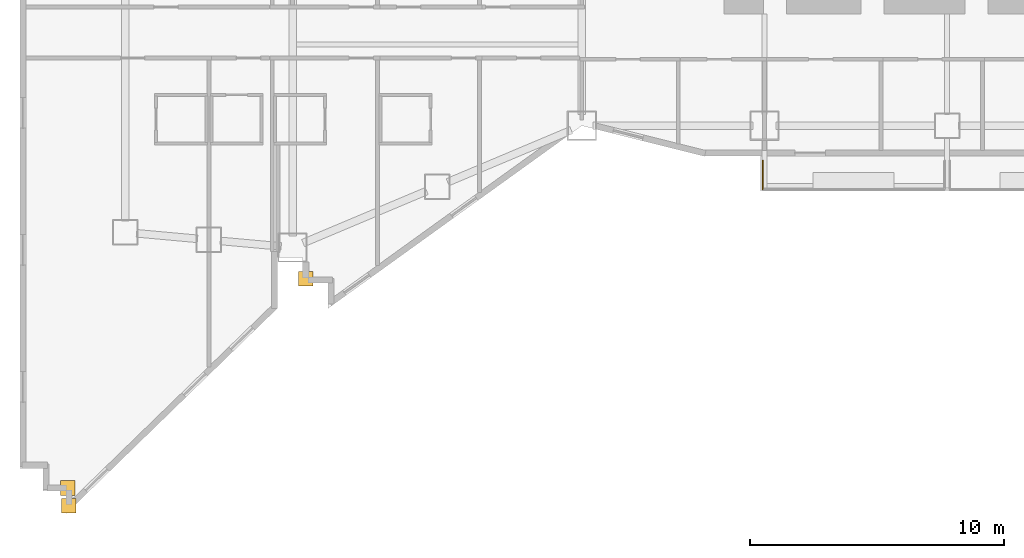
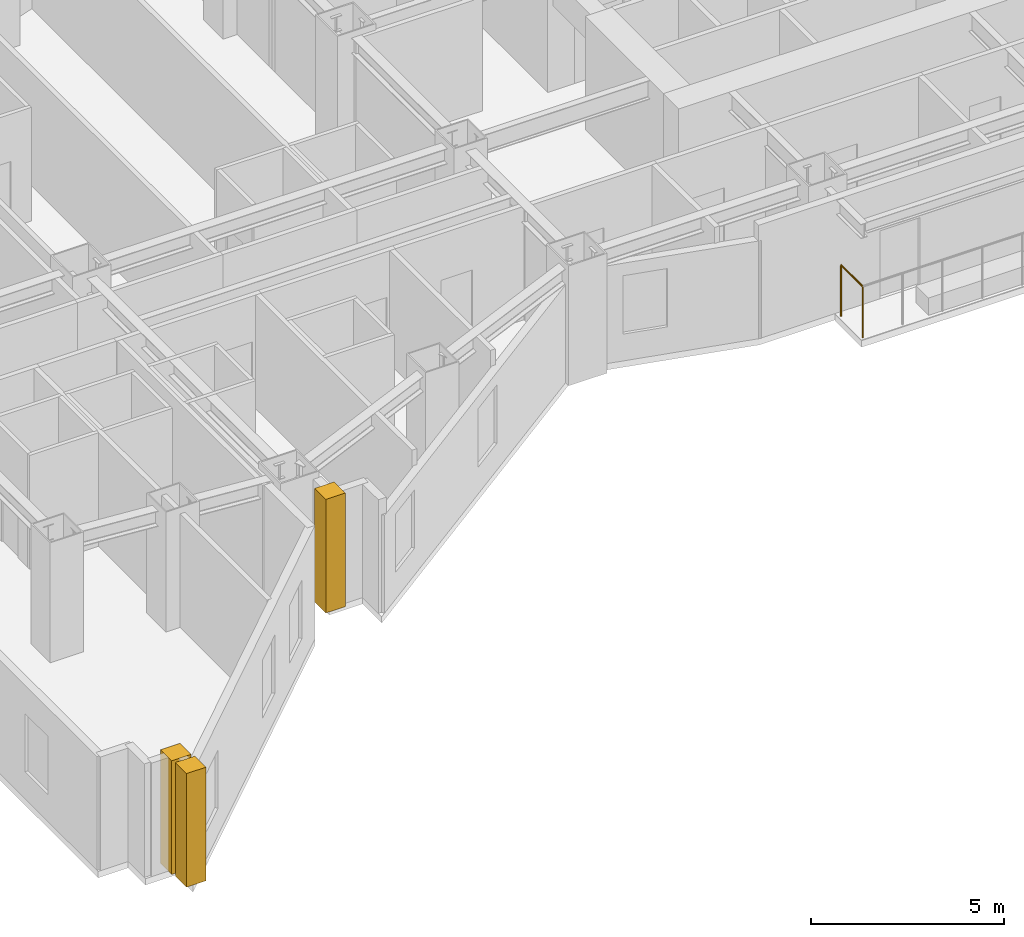
# One storey, part 14 of 18: 3 coverings, 1 railing.
"""IFC4 building model written with IfcOpenShell, lengths in metres."""

import ifcopenshell
import ifcopenshell.guid

model = None  # the IFC model being written
_history = None  # IfcOwnerHistory: only IFC2X3 demands one
_inside = {}  # id of a spatial element -> (the spatial element, [elements in it])
_under = {}  # id of a project, library or spatial element -> (it, [spatial elements below it])
_declared = {}  # id of a project -> (the project, [libraries it declares])
_typed = {}  # id of a type object -> (the type object, [elements of that type])
_made_of = {}  # id of a material, layer set ... -> (it, [elements and type objects made of it])


def new_model(schema):
    """Start an empty IFC model of exactly this schema.

    Asked for "IFC4X3", IfcOpenShell would pick the latest addendum, in which some entities
    have other attributes; the version numbers below select the first issue.
    IFC2X3 requires an IfcOwnerHistory on every rooted entity: one is made here for all.
    """
    global model, _history
    if schema == "IFC4X3":
        model = ifcopenshell.file(schema_version=(4, 3, 0, 0))
    else:
        model = ifcopenshell.file(schema=schema)
    _inside.clear()
    _under.clear()
    _declared.clear()
    _typed.clear()
    _made_of.clear()
    _history = None
    if model.schema == "IFC2X3":
        org = make("IfcOrganization", Name="unknown")
        user = make(
            "IfcPersonAndOrganization",
            ThePerson=make("IfcPerson", FamilyName="unknown"),
            TheOrganization=org,
        )
        app = make(
            "IfcApplication",
            ApplicationDeveloper=org,
            Version="unknown",
            ApplicationFullName="unknown",
            ApplicationIdentifier="unknown",
        )
        _history = make(
            "IfcOwnerHistory",
            OwningUser=user,
            OwningApplication=app,
            ChangeAction="ADDED",
            CreationDate=0,
        )
    return model


def make(cls, **values):
    """One entity of the class cls with the attributes given. An attribute that is None is left unset."""
    return model.create_entity(
        cls, **{name: value for name, value in values.items() if value is not None}
    )


def rooted(cls, **values):
    """An entity with a GlobalId (a new one), such as an element, a storey or a relation."""
    return make(cls, GlobalId=ifcopenshell.guid.new(), OwnerHistory=_history, **values)


def si_unit(unit_type, name, prefix=None):
    """IfcSIUnit, for example si_unit("LENGTHUNIT", "METRE", prefix="MILLI")."""
    return make("IfcSIUnit", UnitType=unit_type, Prefix=prefix, Name=name)


def assignment(units):
    """IfcUnitAssignment: the units of a project."""
    return None if units is None else make("IfcUnitAssignment", Units=units)


def point(xyz):
    """IfcCartesianPoint."""
    return None if xyz is None else make("IfcCartesianPoint", Coordinates=xyz)


def direction(xyz):
    """IfcDirection."""
    return None if xyz is None else make("IfcDirection", DirectionRatios=xyz)


def frame(location, z_axis=None, x_axis=None):
    """IfcAxis2Placement3D, a coordinate frame: its origin and axes. An axis left out is left unset."""
    return make(
        "IfcAxis2Placement3D",
        Location=point(location),
        Axis=direction(z_axis),
        RefDirection=direction(x_axis),
    )


def frame_2d(location, x_axis=None):
    """IfcAxis2Placement2D, a coordinate frame in the plane: its origin and x axis."""
    return make(
        "IfcAxis2Placement2D", Location=point(location), RefDirection=direction(x_axis)
    )


def origin():
    """The frame at (0, 0, 0) with its axes left unset."""
    return frame((0.0, 0.0, 0.0))


def origin_2d():
    """The frame at (0, 0) in the plane with its x axis left unset."""
    return frame_2d((0.0, 0.0))


def place(relative_to, where):
    """IfcLocalPlacement: puts the frame where relative to a parent placement (None: the world)."""
    return make(
        "IfcLocalPlacement", PlacementRelTo=relative_to, RelativePlacement=where
    )


def context(
    kind, dimensions, precision=None, world=None, true_north=None, identifier=None
):
    """IfcGeometricRepresentationContext, for example the 3D "Model" context."""
    return make(
        "IfcGeometricRepresentationContext",
        ContextIdentifier=identifier,
        ContextType=kind,
        CoordinateSpaceDimension=dimensions,
        Precision=precision,
        WorldCoordinateSystem=world,
        TrueNorth=true_north,
    )


def subcontext(parent, identifier, kind, view, scale=None):
    """IfcGeometricRepresentationSubContext, for example "Body" below "Model"."""
    return make(
        "IfcGeometricRepresentationSubContext",
        ContextIdentifier=identifier,
        ContextType=kind,
        ParentContext=parent,
        TargetScale=scale,
        TargetView=view,
    )


def project(units=None, contexts=None):
    """IfcProject with its units and contexts."""
    return rooted(
        "IfcProject",
        Name="project",
        RepresentationContexts=contexts,
        UnitsInContext=assignment(units),
    )


def spatial(cls, under=None, at=None, **own):
    """A site, building, storey or space (cls), placed at a placement, below another one or the project."""
    s = rooted(cls, ObjectPlacement=at, **own)
    if under is not None:
        _under.setdefault(under.id(), (under, []))[1].append(s)
    return s


def profile(cls, at=None, kind="AREA", **sizes):
    """A parametric profile (cls). Its sizes go by their IFC names, for example OverallWidth=200.0."""
    return make(cls, ProfileType=kind, Position=at, **sizes)


def rectangle(**sizes):
    """IfcRectangleProfileDef."""
    return profile("IfcRectangleProfileDef", **sizes)


def circle(**sizes):
    """IfcCircleProfileDef."""
    return profile("IfcCircleProfileDef", **sizes)


def extrude(swept, where, along, depth):
    """IfcExtrudedAreaSolid: the profile swept, set in the frame where, extruded along a direction by depth."""
    return make(
        "IfcExtrudedAreaSolid",
        SweptArea=swept,
        Position=where,
        ExtrudedDirection=direction(along),
        Depth=depth,
    )


def shape(context_of_items, identifier, shape_type, items):
    """IfcShapeRepresentation: the items that make up one representation, for example the "Body"."""
    return make(
        "IfcShapeRepresentation",
        ContextOfItems=context_of_items,
        RepresentationIdentifier=identifier,
        RepresentationType=shape_type,
        Items=items,
    )


def material(Name=None, Category=None):
    """IfcMaterial."""
    return make("IfcMaterial", Name=Name, Category=Category)


def layer(
    of_material, thickness, ventilated=None, Name=None, Category=None, Priority=None
):
    """IfcMaterialLayer: one layer of a wall or slab, of a material (None: an air gap)."""
    return make(
        "IfcMaterialLayer",
        Material=of_material,
        LayerThickness=thickness,
        IsVentilated=ventilated,
        Name=Name,
        Category=Category,
        Priority=Priority,
    )


def layer_set(layers, Name=None):
    """IfcMaterialLayerSet."""
    return make("IfcMaterialLayerSet", MaterialLayers=layers, LayerSetName=Name)


def made_of(thing, what):
    """Note that an element or type object is made of a material, layer set ...; save() writes the relation."""
    if what is not None:
        _made_of.setdefault(what.id(), (what, []))[1].append(thing)
    return thing


def type_object(cls, material=None, **own):
    """A type object (cls), such as IfcWallType, which elements share."""
    return made_of(rooted(cls, **own), material)


def element(
    cls,
    number,
    at=None,
    inside=None,
    cuts=None,
    type_object=None,
    material=None,
    context=None,
    identifier="Body",
    shape_type=None,
    held_by="IfcProductDefinitionShape",
    body=None,
    shapes=None,
    **own,
):
    """One element of the class cls, such as IfcWall. Its Tag is "e" and its number.

    at: its placement. inside: the storey or other place that contains it. cuts: it is an
    opening in that element (IfcRelVoidsElement). A single representation is given by context,
    identifier, shape_type and body (its items); several are given by shapes. held_by: the class
    of the entity that holds the representations. save() writes the other relations.
    """
    e = rooted(cls, Tag="e%d" % number, ObjectPlacement=at, **own)
    if body is not None:
        shapes = [shape(context, identifier, shape_type, body)]
    if shapes is not None:
        e.Representation = make(held_by, Representations=shapes)
    if inside is not None:
        _inside.setdefault(inside.id(), (inside, []))[1].append(e)
    if cuts is not None:
        rooted(
            "IfcRelVoidsElement", RelatingBuildingElement=cuts, RelatedOpeningElement=e
        )
    if type_object is not None:
        _typed.setdefault(type_object.id(), (type_object, []))[1].append(e)
    return made_of(e, material)


def aggregate(whole, parts):
    """IfcRelAggregates: a whole, such as a stair, and the parts it consists of."""
    return rooted("IfcRelAggregates", RelatingObject=whole, RelatedObjects=parts)


def save(model, path):
    """Write the relations noted so far, then the file.

    IfcRelAggregates (storeys below a building ...), IfcRelContainedInSpatialStructure (elements
    in a storey), IfcRelDefinesByType, IfcRelAssociatesMaterial and IfcRelDeclares: one each for
    every whole, place, type object, material and project.
    """
    for whole, parts in _under.values():
        aggregate(whole, parts)
    for where, things in _inside.values():
        rooted(
            "IfcRelContainedInSpatialStructure",
            RelatedElements=things,
            RelatingStructure=where,
        )
    for kind, things in _typed.values():
        rooted("IfcRelDefinesByType", RelatedObjects=things, RelatingType=kind)
    for what, things in _made_of.values():
        rooted("IfcRelAssociatesMaterial", RelatedObjects=things, RelatingMaterial=what)
    for by, libraries in _declared.values():
        rooted("IfcRelDeclares", RelatingContext=by, RelatedDefinitions=libraries)
    model.write(path)


model = new_model("IFC4")

# Units and contexts
model_context = context("Model", 3, precision=1e-05, world=origin(), true_north=direction((0.0, 1.0)))
body_context = subcontext(model_context, "Body", "Model", "MODEL_VIEW")
ifc_project = project(units=[si_unit("LENGTHUNIT", "METRE"), si_unit("AREAUNIT", "SQUARE_METRE"), si_unit("VOLUMEUNIT", "CUBIC_METRE"), si_unit("PLANEANGLEUNIT", "RADIAN"), si_unit("MASSUNIT", "GRAM", prefix="KILO")], contexts=[model_context])

# Site, building, storey
site_placement = place(None, origin())
site = spatial("IfcSite", under=ifc_project, at=site_placement, CompositionType="ELEMENT")
building_placement = place(site_placement, origin())
building = spatial("IfcBuilding", under=site, at=building_placement, Name="Haolan Belvedere Tower", CompositionType="ELEMENT")
storey_placement = place(building_placement, frame((0.0, 0.0, 51.39990234375)))
storey = spatial("IfcBuildingStorey", under=building, at=storey_placement, Name="L12", CompositionType="ELEMENT", Elevation=51.39990234375)

# Coverings
ifc_material_1 = material(Name="Pale champagne-silver anodised aluminium rainscreen cladding", Category="aluminium")
ifc_layer = layer(ifc_material_1, 0.034912109375, Name="Pale champagne-silver anodised aluminium rainscreen cladding")
ifc_layer_set = layer_set([ifc_layer], Name="Pale champagne-silver anodised aluminium rainscreen cladding")
covering_type = type_object("IfcCoveringType", Name="COV-CLAD-35", PredefinedType="CLADDING", material=ifc_layer_set)
for number, where, z_axis, x_axis, name in (
    (1, (3.737548828125, 7.31689453125, 0.0), (0.0, 0.0, 1.0), (1.0, 0.0, 0.0), "L12 pale-metal serrated corner cladding trim 1"),
    (2, (3.780029296875, 6.623291015625, 0.0), (0.0, 0.0, 1.0), (1.0, 0.0, 0.0), "L12 pale-metal serrated corner cladding trim 2"),
    (3, (13.1201171875, 15.5625, 0.0), (0.0, 0.0, 1.0), (1.0, 0.0, 0.0), "L12 pale-metal serrated corner cladding trim 3"),
):
    element("IfcCovering", number, at=place(storey_placement, frame(where, z_axis=z_axis, x_axis=x_axis)), inside=storey, type_object=covering_type, Name=name, PredefinedType="CLADDING", context=body_context, shape_type="SweptSolid", body=[
        extrude(rectangle(XDim=0.580078125, YDim=0.580078125, at=origin_2d()), origin(), (0.0, 0.0, 1.0), 3.60009765625),
    ])

# Railing
ifc_material_2 = material(Name="Anodised aluminium and laminated glass balustrade", Category="aluminium")
railing_type = type_object("IfcRailingType", Name="RL-TER-BAL-1150", PredefinedType="BALUSTRADE", material=ifc_material_2)
railing_placement = place(storey_placement, frame((31.1298828125, 19.10009765625, 0.0)))
element("IfcRailing", 4, at=railing_placement, inside=storey, type_object=railing_type, Name="L12 outdoor perimeter balustrade BAL-L12-1-1", PredefinedType="BALUSTRADE", context=body_context, shape_type="SweptSolid", body=[
    extrude(circle(Radius=0.02392578125, at=origin_2d()), frame((0.0, 0.0, 1.6259765625), z_axis=(0.0, 1.0, 0.0), x_axis=(-1.0, 0.0, 0.0)), (0.0, 0.0, 1.0), 1.119873046875),
    extrude(circle(Radius=0.02099609375, at=origin_2d()), origin(), (0.0, 0.0, 1.0), 1.601806640625),
    extrude(circle(Radius=0.02099609375, at=origin_2d()), frame((0.0, 1.119873046875, 0.0)), (0.0, 0.0, 1.0), 1.601806640625),
])

save(model, "model.ifc")
